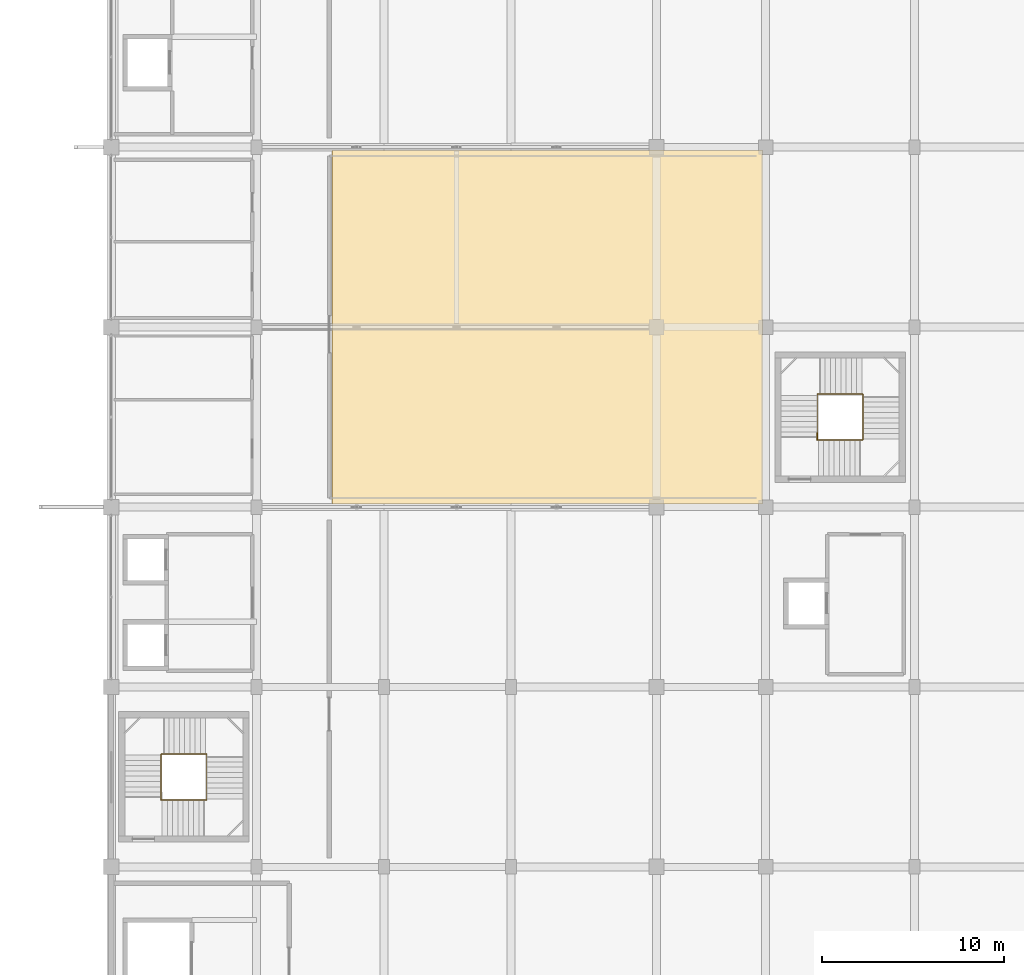
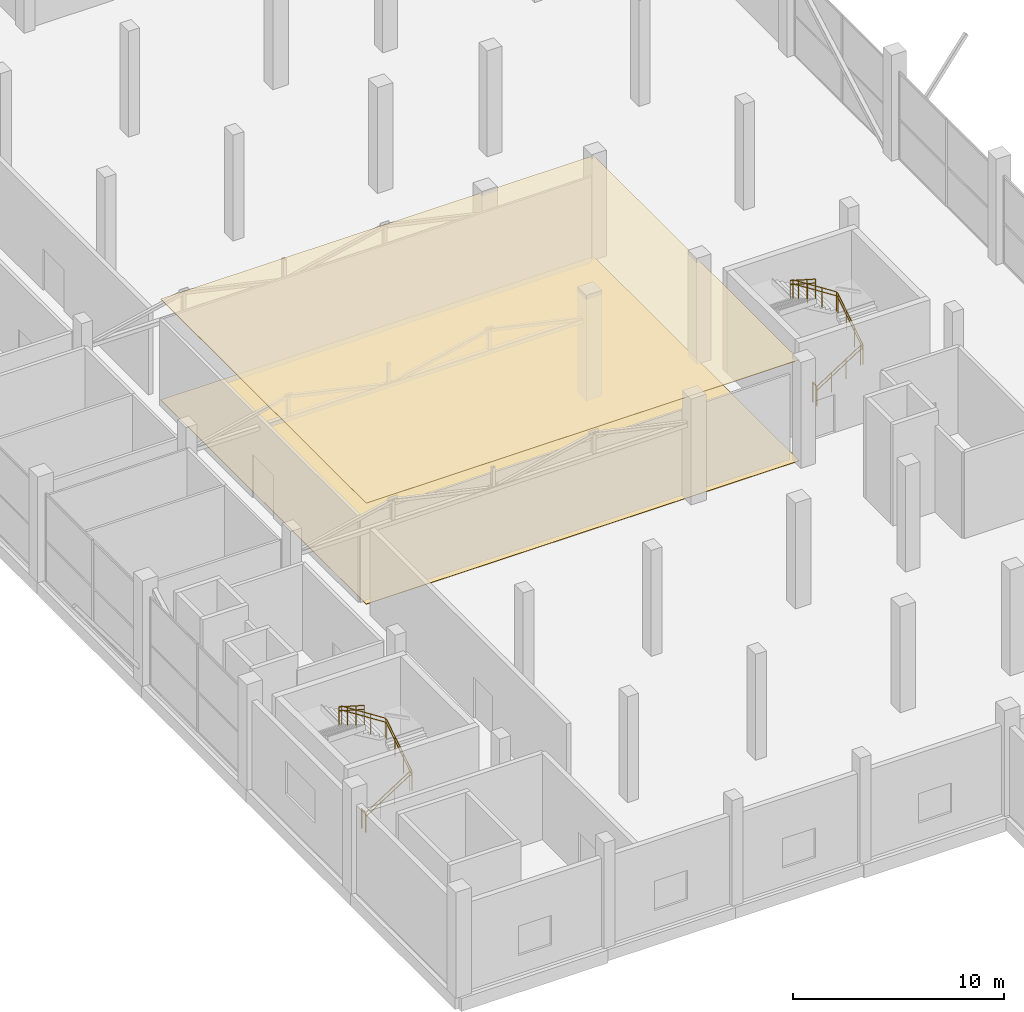
# One storey, part 43 of 46: 6 railings, 2 coverings.
"""IFC4 building model written with IfcOpenShell, lengths in metres."""

from ifc_helpers import new_model, si_unit, direction, frame, origin, origin_2d, place, context, subcontext, project, spatial, polyline, circle, outline, extrude, material, layer, layer_set, type_object, element, save


model = new_model("IFC4")

# Units and contexts
model_context = context("Model", 3, precision=1e-05, world=origin(), true_north=direction((0.0, 1.0)))
body_context = subcontext(model_context, "Body", "Model", "MODEL_VIEW")
ifc_project = project(units=[si_unit("LENGTHUNIT", "METRE"), si_unit("AREAUNIT", "SQUARE_METRE"), si_unit("VOLUMEUNIT", "CUBIC_METRE"), si_unit("PLANEANGLEUNIT", "RADIAN"), si_unit("MASSUNIT", "GRAM", prefix="KILO")], contexts=[model_context])

# Site, building, storey
site_placement = place(None, origin())
site = spatial("IfcSite", under=ifc_project, at=site_placement, CompositionType="ELEMENT")
building_placement = place(site_placement, origin())
building = spatial("IfcBuilding", under=site, at=building_placement, Name="Sillaruma Civic Art Gallery", CompositionType="ELEMENT")
storey_placement = place(building_placement, frame((0.0, 0.0, 16.320068359375)))
storey = spatial("IfcBuildingStorey", under=building, at=storey_placement, Name="L03", CompositionType="ELEMENT", Elevation=16.320068359375)

# Coverings
ifc_material_1 = material(Name="Gypsum Acoustic Board", Category="gypsum")
ifc_layer_1 = layer(ifc_material_1, 0.030029296875, Name="Gypsum Acoustic Board")
ifc_layer_set_1 = layer_set([ifc_layer_1], Name="Gypsum Acoustic Board")
covering_type_1 = type_object("IfcCoveringType", Name="COV-CLG-30", PredefinedType="CEILING", material=ifc_layer_set_1)
covering_1_placement = place(storey_placement, frame((0.0, 0.0, 5.829833984375)))
element("IfcCovering", 1, at=covering_1_placement, inside=storey, type_object=covering_type_1, Name="Acoustic Gallery Ceiling (L03-GAL31)", PredefinedType="CEILING", context=body_context, shape_type="SweptSolid", body=[
    extrude(outline(polyline([(74.159912109375, 49.659912109375), (97.840087890625, 49.659912109375), (97.840087890625, 69.139892578125), (74.159912109375, 69.139892578125), (74.159912109375, 49.659912109375)])), origin(), (0.0, 0.0, 1.0), 0.030029296875),
])
ifc_material_2 = material(Name="Polished Terrazzo", Category="masonry")
ifc_layer_2 = layer(ifc_material_2, 0.02490234375, Name="Polished Terrazzo")
ifc_layer_set_2 = layer_set([ifc_layer_2], Name="Polished Terrazzo")
covering_type_2 = type_object("IfcCoveringType", Name="COV-FLR-25", PredefinedType="FLOORING", material=ifc_layer_set_2)
covering_2_placement = place(storey_placement, origin())
element("IfcCovering", 2, at=covering_2_placement, inside=storey, type_object=covering_type_2, Name="Gallery Stone Terrazzo Flooring (L03-GAL31)", PredefinedType="FLOORING", context=body_context, shape_type="SweptSolid", body=[
    extrude(outline(polyline([(74.159912109375, 49.659912109375), (97.840087890625, 49.659912109375), (97.840087890625, 69.139892578125), (74.159912109375, 69.139892578125), (74.159912109375, 49.659912109375)])), origin(), (0.0, 0.0, 1.0), 0.02490234375),
])

# Railings
ifc_material_3 = material(Name="Stainless Steel AISI 316", Category="steel")
railing_type_1 = type_object("IfcRailingType", Name="RAL-BAL-1150", PredefinedType="BALUSTRADE", material=ifc_material_3)
railing_1_placement = place(storey_placement, frame((64.739990234375, 33.389892578125, 0.0)))
element("IfcRailing", 3, at=railing_1_placement, inside=storey, type_object=railing_type_1, Name="Stair Floor Edge Guard (ST-03:L03)", PredefinedType="BALUSTRADE", context=body_context, shape_type="SweptSolid", body=[
    extrude(circle(Radius=0.02392578125, at=origin_2d()), frame((0.0, 0.0, 1.1259765625), z_axis=(0.0, 1.0, 0.0), x_axis=(-1.0, 0.0, 0.0)), (0.0, 0.0, 1.0), 0.39013671875),
    extrude(circle(Radius=0.02099609375, at=origin_2d()), origin(), (0.0, 0.0, 1.0), 1.101806640625),
    extrude(circle(Radius=0.02099609375, at=origin_2d()), frame((0.0, 0.39013671875, 0.0)), (0.0, 0.0, 1.0), 1.101806640625),
])
railing_2_placement = place(storey_placement, frame((64.739990234375, 33.389892578125, 0.0)))
element("IfcRailing", 4, at=railing_2_placement, inside=storey, type_object=railing_type_1, Name="Stair Well Balustrade (ST-03-L03)", PredefinedType="BALUSTRADE", context=body_context, shape_type="SweptSolid", body=[
    extrude(circle(Radius=0.02392578125, at=origin_2d()), frame((0.0, 0.0, 1.1259765625), z_axis=(0.84118688567, 0.0, 0.540744508411), x_axis=(0.0, 1.0, 0.0)), (0.0, 0.0, 1.0), 2.82958984375),
    extrude(circle(Radius=0.02392578125, at=origin_2d()), frame((2.380126953125, 0.0, 2.65576171875), z_axis=(1.0, 0.0, 0.0), x_axis=(0.0, 1.0, 0.0)), (0.0, 0.0, 1.0), 0.139892578125),
    extrude(circle(Radius=0.02392578125, at=origin_2d()), frame((2.52001953125, 0.0, 2.65576171875), z_axis=(0.0, 0.841226133241, 0.540683449675), x_axis=(-1.0, 0.0, 0.0)), (0.0, 0.0, 1.0), 2.829345703125),
    extrude(circle(Radius=0.02392578125, at=origin_2d()), frame((2.52001953125, 2.380126953125, 4.185546875), z_axis=(0.0, 1.0, 0.0), x_axis=(-1.0, 0.0, 0.0)), (0.0, 0.0, 1.0), 0.139892578125),
    extrude(circle(Radius=0.02392578125, at=origin_2d()), frame((2.52001953125, 2.52001953125, 4.185546875), z_axis=(-0.84118688567, 0.0, 0.540744508411), x_axis=(0.0, -1.0, 0.0)), (0.0, 0.0, 1.0), 2.82958984375),
    extrude(circle(Radius=0.02392578125, at=origin_2d()), frame((0.139892578125, 2.52001953125, 5.7158203125), z_axis=(-1.0, 0.0, 0.0), x_axis=(0.0, -1.0, 0.0)), (0.0, 0.0, 1.0), 0.139892578125),
    extrude(circle(Radius=0.02392578125, at=origin_2d()), frame((0.0, 2.52001953125, 5.7158203125), z_axis=(0.0, -0.841161652958, 0.540783758626), x_axis=(1.0, 0.0, 0.0)), (0.0, 0.0, 1.0), 2.829345703125),
    extrude(circle(Radius=0.02099609375, at=origin_2d()), origin(), (0.0, 0.0, 1.0), 1.101806640625),
    extrude(circle(Radius=0.02099609375, at=origin_2d()), frame((0.79345703125, 0.0, 0.510009765625)), (0.0, 0.0, 1.0), 1.101806640625),
    extrude(circle(Radius=0.02099609375, at=origin_2d()), frame((1.586669921875, 0.0, 1.02001953125)), (0.0, 0.0, 1.0), 1.101806640625),
    extrude(circle(Radius=0.02099609375, at=origin_2d()), frame((2.380126953125, 0.0, 1.530029296875)), (0.0, 0.0, 1.0), 1.101806640625),
    extrude(circle(Radius=0.02099609375, at=origin_2d()), frame((2.52001953125, 0.0, 1.530029296875)), (0.0, 0.0, 1.0), 1.101806640625),
    extrude(circle(Radius=0.02099609375, at=origin_2d()), frame((2.52001953125, 0.79345703125, 2.0400390625)), (0.0, 0.0, 1.0), 1.101806640625),
    extrude(circle(Radius=0.02099609375, at=origin_2d()), frame((2.52001953125, 1.586669921875, 2.5498046875)), (0.0, 0.0, 1.0), 1.101806640625),
    extrude(circle(Radius=0.02099609375, at=origin_2d()), frame((2.52001953125, 2.380126953125, 3.059814453125)), (0.0, 0.0, 1.0), 1.101806640625),
    extrude(circle(Radius=0.02099609375, at=origin_2d()), frame((2.52001953125, 2.52001953125, 3.059814453125)), (0.0, 0.0, 1.0), 1.101806640625),
    extrude(circle(Radius=0.02099609375, at=origin_2d()), frame((1.7265625, 2.52001953125, 3.56982421875)), (0.0, 0.0, 1.0), 1.101806640625),
    extrude(circle(Radius=0.02099609375, at=origin_2d()), frame((0.933349609375, 2.52001953125, 4.079833984375)), (0.0, 0.0, 1.0), 1.101806640625),
    extrude(circle(Radius=0.02099609375, at=origin_2d()), frame((0.139892578125, 2.52001953125, 4.58984375)), (0.0, 0.0, 1.0), 1.101806640625),
    extrude(circle(Radius=0.02099609375, at=origin_2d()), frame((0.0, 2.52001953125, 4.58984375)), (0.0, 0.0, 1.0), 1.101806640625),
    extrude(circle(Radius=0.02099609375, at=origin_2d()), frame((0.0, 1.726806640625, 5.099853515625)), (0.0, 0.0, 1.0), 1.101806640625),
    extrude(circle(Radius=0.02099609375, at=origin_2d()), frame((0.0, 0.933349609375, 5.60986328125)), (0.0, 0.0, 1.0), 1.101806640625),
    extrude(circle(Radius=0.02099609375, at=origin_2d()), frame((0.0, 0.14013671875, 6.119873046875)), (0.0, 0.0, 1.0), 1.101806640625),
])
railing_3_placement = place(storey_placement, frame((100.840087890625, 53.18994140625, 0.0)))
element("IfcRailing", 5, at=railing_3_placement, inside=storey, type_object=railing_type_1, Name="Stair Floor Edge Guard (ST-04:L03)", PredefinedType="BALUSTRADE", context=body_context, shape_type="SweptSolid", body=[
    extrude(circle(Radius=0.02392578125, at=origin_2d()), frame((0.0, 0.0, 1.1259765625), z_axis=(0.0, 1.0, 0.0), x_axis=(-1.0, 0.0, 0.0)), (0.0, 0.0, 1.0), 0.39013671875),
    extrude(circle(Radius=0.02099609375, at=origin_2d()), origin(), (0.0, 0.0, 1.0), 1.101806640625),
    extrude(circle(Radius=0.02099609375, at=origin_2d()), frame((0.0, 0.39013671875, 0.0)), (0.0, 0.0, 1.0), 1.101806640625),
])
railing_4_placement = place(storey_placement, frame((100.840087890625, 53.18994140625, 0.0)))
element("IfcRailing", 6, at=railing_4_placement, inside=storey, type_object=railing_type_1, Name="Stair Well Balustrade (ST-04-L03)", PredefinedType="BALUSTRADE", context=body_context, shape_type="SweptSolid", body=[
    extrude(circle(Radius=0.02392578125, at=origin_2d()), frame((0.0, 0.0, 1.1259765625), z_axis=(0.841161652958, 0.0, 0.540783758626), x_axis=(0.0, 1.0, 0.0)), (0.0, 0.0, 1.0), 2.829345703125),
    extrude(circle(Radius=0.02392578125, at=origin_2d()), frame((2.3798828125, 0.0, 2.65576171875), z_axis=(1.0, 0.0, 0.0), x_axis=(0.0, 1.0, 0.0)), (0.0, 0.0, 1.0), 0.14013671875),
    extrude(circle(Radius=0.02392578125, at=origin_2d()), frame((2.52001953125, 0.0, 2.65576171875), z_axis=(0.0, 0.841226133241, 0.540683449675), x_axis=(-1.0, 0.0, 0.0)), (0.0, 0.0, 1.0), 2.829345703125),
    extrude(circle(Radius=0.02392578125, at=origin_2d()), frame((2.52001953125, 2.380126953125, 4.185546875), z_axis=(0.0, 1.0, 0.0), x_axis=(-1.0, 0.0, 0.0)), (0.0, 0.0, 1.0), 0.139892578125),
    extrude(circle(Radius=0.02392578125, at=origin_2d()), frame((2.52001953125, 2.52001953125, 4.185546875), z_axis=(-0.84118688567, 0.0, 0.540744508411), x_axis=(0.0, -1.0, 0.0)), (0.0, 0.0, 1.0), 2.82958984375),
    extrude(circle(Radius=0.02392578125, at=origin_2d()), frame((0.139892578125, 2.52001953125, 5.7158203125), z_axis=(-1.0, 0.0, 0.0), x_axis=(0.0, -1.0, 0.0)), (0.0, 0.0, 1.0), 0.139892578125),
    extrude(circle(Radius=0.02392578125, at=origin_2d()), frame((0.0, 2.52001953125, 5.7158203125), z_axis=(0.0, -0.841161652958, 0.540783758626), x_axis=(1.0, 0.0, 0.0)), (0.0, 0.0, 1.0), 2.829345703125),
    extrude(circle(Radius=0.02099609375, at=origin_2d()), origin(), (0.0, 0.0, 1.0), 1.101806640625),
    extrude(circle(Radius=0.02099609375, at=origin_2d()), frame((0.793212890625, 0.0, 0.510009765625)), (0.0, 0.0, 1.0), 1.101806640625),
    extrude(circle(Radius=0.02099609375, at=origin_2d()), frame((1.586669921875, 0.0, 1.02001953125)), (0.0, 0.0, 1.0), 1.101806640625),
    extrude(circle(Radius=0.02099609375, at=origin_2d()), frame((2.3798828125, 0.0, 1.530029296875)), (0.0, 0.0, 1.0), 1.101806640625),
    extrude(circle(Radius=0.02099609375, at=origin_2d()), frame((2.52001953125, 0.0, 1.530029296875)), (0.0, 0.0, 1.0), 1.101806640625),
    extrude(circle(Radius=0.02099609375, at=origin_2d()), frame((2.52001953125, 0.79345703125, 2.0400390625)), (0.0, 0.0, 1.0), 1.101806640625),
    extrude(circle(Radius=0.02099609375, at=origin_2d()), frame((2.52001953125, 1.586669921875, 2.5498046875)), (0.0, 0.0, 1.0), 1.101806640625),
    extrude(circle(Radius=0.02099609375, at=origin_2d()), frame((2.52001953125, 2.380126953125, 3.059814453125)), (0.0, 0.0, 1.0), 1.101806640625),
    extrude(circle(Radius=0.02099609375, at=origin_2d()), frame((2.52001953125, 2.52001953125, 3.059814453125)), (0.0, 0.0, 1.0), 1.101806640625),
    extrude(circle(Radius=0.02099609375, at=origin_2d()), frame((1.7265625, 2.52001953125, 3.56982421875)), (0.0, 0.0, 1.0), 1.101806640625),
    extrude(circle(Radius=0.02099609375, at=origin_2d()), frame((0.933349609375, 2.52001953125, 4.079833984375)), (0.0, 0.0, 1.0), 1.101806640625),
    extrude(circle(Radius=0.02099609375, at=origin_2d()), frame((0.139892578125, 2.52001953125, 4.58984375)), (0.0, 0.0, 1.0), 1.101806640625),
    extrude(circle(Radius=0.02099609375, at=origin_2d()), frame((0.0, 2.52001953125, 4.58984375)), (0.0, 0.0, 1.0), 1.101806640625),
    extrude(circle(Radius=0.02099609375, at=origin_2d()), frame((0.0, 1.726806640625, 5.099853515625)), (0.0, 0.0, 1.0), 1.101806640625),
    extrude(circle(Radius=0.02099609375, at=origin_2d()), frame((0.0, 0.933349609375, 5.60986328125)), (0.0, 0.0, 1.0), 1.101806640625),
    extrude(circle(Radius=0.02099609375, at=origin_2d()), frame((0.0, 0.14013671875, 6.119873046875)), (0.0, 0.0, 1.0), 1.101806640625),
])
railing_type_2 = type_object("IfcRailingType", Name="RAL-HND-920", PredefinedType="HANDRAIL", material=ifc_material_3)
railing_5_placement = place(storey_placement, frame((64.739990234375, 33.389892578125, 0.0)))
element("IfcRailing", 7, at=railing_5_placement, inside=storey, type_object=railing_type_2, Name="Stair Continuous Handrail (ST-03-L03)", PredefinedType="HANDRAIL", context=body_context, shape_type="SweptSolid", body=[
    extrude(circle(Radius=0.02392578125, at=origin_2d()), frame((0.0, 0.0, 0.89599609375), z_axis=(0.84118688567, 0.0, 0.540744508411), x_axis=(0.0, 1.0, 0.0)), (0.0, 0.0, 1.0), 2.82958984375),
    extrude(circle(Radius=0.02392578125, at=origin_2d()), frame((2.380126953125, 0.0, 2.42578125), z_axis=(1.0, 0.0, 0.0), x_axis=(0.0, 1.0, 0.0)), (0.0, 0.0, 1.0), 0.139892578125),
    extrude(circle(Radius=0.02392578125, at=origin_2d()), frame((2.52001953125, 0.0, 2.42578125), z_axis=(0.0, 0.841226133241, 0.540683449675), x_axis=(-1.0, 0.0, 0.0)), (0.0, 0.0, 1.0), 2.829345703125),
    extrude(circle(Radius=0.02392578125, at=origin_2d()), frame((2.52001953125, 2.380126953125, 3.95556640625), z_axis=(0.0, 1.0, 0.0), x_axis=(-1.0, 0.0, 0.0)), (0.0, 0.0, 1.0), 0.139892578125),
    extrude(circle(Radius=0.02392578125, at=origin_2d()), frame((2.52001953125, 2.52001953125, 3.95556640625), z_axis=(-0.84118688567, 0.0, 0.540744508411), x_axis=(0.0, -1.0, 0.0)), (0.0, 0.0, 1.0), 2.82958984375),
    extrude(circle(Radius=0.02392578125, at=origin_2d()), frame((0.139892578125, 2.52001953125, 5.48583984375), z_axis=(-1.0, 0.0, 0.0), x_axis=(0.0, -1.0, 0.0)), (0.0, 0.0, 1.0), 0.139892578125),
    extrude(circle(Radius=0.02392578125, at=origin_2d()), frame((0.0, 2.52001953125, 5.48583984375), z_axis=(0.0, -0.841161652958, 0.540783758626), x_axis=(1.0, 0.0, 0.0)), (0.0, 0.0, 1.0), 2.829345703125),
    extrude(circle(Radius=0.02099609375, at=origin_2d()), origin(), (0.0, 0.0, 1.0), 0.871826171875),
    extrude(circle(Radius=0.02099609375, at=origin_2d()), frame((0.79345703125, 0.0, 0.510009765625)), (0.0, 0.0, 1.0), 0.871826171875),
    extrude(circle(Radius=0.02099609375, at=origin_2d()), frame((1.586669921875, 0.0, 1.02001953125)), (0.0, 0.0, 1.0), 0.871826171875),
    extrude(circle(Radius=0.02099609375, at=origin_2d()), frame((2.380126953125, 0.0, 1.530029296875)), (0.0, 0.0, 1.0), 0.871826171875),
    extrude(circle(Radius=0.02099609375, at=origin_2d()), frame((2.52001953125, 0.0, 1.530029296875)), (0.0, 0.0, 1.0), 0.871826171875),
    extrude(circle(Radius=0.02099609375, at=origin_2d()), frame((2.52001953125, 0.79345703125, 2.0400390625)), (0.0, 0.0, 1.0), 0.871826171875),
    extrude(circle(Radius=0.02099609375, at=origin_2d()), frame((2.52001953125, 1.586669921875, 2.5498046875)), (0.0, 0.0, 1.0), 0.871826171875),
    extrude(circle(Radius=0.02099609375, at=origin_2d()), frame((2.52001953125, 2.380126953125, 3.059814453125)), (0.0, 0.0, 1.0), 0.871826171875),
    extrude(circle(Radius=0.02099609375, at=origin_2d()), frame((2.52001953125, 2.52001953125, 3.059814453125)), (0.0, 0.0, 1.0), 0.871826171875),
    extrude(circle(Radius=0.02099609375, at=origin_2d()), frame((1.7265625, 2.52001953125, 3.56982421875)), (0.0, 0.0, 1.0), 0.871826171875),
    extrude(circle(Radius=0.02099609375, at=origin_2d()), frame((0.933349609375, 2.52001953125, 4.079833984375)), (0.0, 0.0, 1.0), 0.871826171875),
    extrude(circle(Radius=0.02099609375, at=origin_2d()), frame((0.139892578125, 2.52001953125, 4.58984375)), (0.0, 0.0, 1.0), 0.871826171875),
    extrude(circle(Radius=0.02099609375, at=origin_2d()), frame((0.0, 2.52001953125, 4.58984375)), (0.0, 0.0, 1.0), 0.871826171875),
    extrude(circle(Radius=0.02099609375, at=origin_2d()), frame((0.0, 1.726806640625, 5.099853515625)), (0.0, 0.0, 1.0), 0.871826171875),
    extrude(circle(Radius=0.02099609375, at=origin_2d()), frame((0.0, 0.933349609375, 5.60986328125)), (0.0, 0.0, 1.0), 0.871826171875),
    extrude(circle(Radius=0.02099609375, at=origin_2d()), frame((0.0, 0.14013671875, 6.119873046875)), (0.0, 0.0, 1.0), 0.871826171875),
])
railing_6_placement = place(storey_placement, frame((100.840087890625, 53.18994140625, 0.0)))
element("IfcRailing", 8, at=railing_6_placement, inside=storey, type_object=railing_type_2, Name="Stair Continuous Handrail (ST-04-L03)", PredefinedType="HANDRAIL", context=body_context, shape_type="SweptSolid", body=[
    extrude(circle(Radius=0.02392578125, at=origin_2d()), frame((0.0, 0.0, 0.89599609375), z_axis=(0.841161652958, 0.0, 0.540783758626), x_axis=(0.0, 1.0, 0.0)), (0.0, 0.0, 1.0), 2.829345703125),
    extrude(circle(Radius=0.02392578125, at=origin_2d()), frame((2.3798828125, 0.0, 2.42578125), z_axis=(1.0, 0.0, 0.0), x_axis=(0.0, 1.0, 0.0)), (0.0, 0.0, 1.0), 0.14013671875),
    extrude(circle(Radius=0.02392578125, at=origin_2d()), frame((2.52001953125, 0.0, 2.42578125), z_axis=(0.0, 0.841226133241, 0.540683449675), x_axis=(-1.0, 0.0, 0.0)), (0.0, 0.0, 1.0), 2.829345703125),
    extrude(circle(Radius=0.02392578125, at=origin_2d()), frame((2.52001953125, 2.380126953125, 3.95556640625), z_axis=(0.0, 1.0, 0.0), x_axis=(-1.0, 0.0, 0.0)), (0.0, 0.0, 1.0), 0.139892578125),
    extrude(circle(Radius=0.02392578125, at=origin_2d()), frame((2.52001953125, 2.52001953125, 3.95556640625), z_axis=(-0.84118688567, 0.0, 0.540744508411), x_axis=(0.0, -1.0, 0.0)), (0.0, 0.0, 1.0), 2.82958984375),
    extrude(circle(Radius=0.02392578125, at=origin_2d()), frame((0.139892578125, 2.52001953125, 5.48583984375), z_axis=(-1.0, 0.0, 0.0), x_axis=(0.0, -1.0, 0.0)), (0.0, 0.0, 1.0), 0.139892578125),
    extrude(circle(Radius=0.02392578125, at=origin_2d()), frame((0.0, 2.52001953125, 5.48583984375), z_axis=(0.0, -0.841161652958, 0.540783758626), x_axis=(1.0, 0.0, 0.0)), (0.0, 0.0, 1.0), 2.829345703125),
    extrude(circle(Radius=0.02099609375, at=origin_2d()), origin(), (0.0, 0.0, 1.0), 0.871826171875),
    extrude(circle(Radius=0.02099609375, at=origin_2d()), frame((0.793212890625, 0.0, 0.510009765625)), (0.0, 0.0, 1.0), 0.871826171875),
    extrude(circle(Radius=0.02099609375, at=origin_2d()), frame((1.586669921875, 0.0, 1.02001953125)), (0.0, 0.0, 1.0), 0.871826171875),
    extrude(circle(Radius=0.02099609375, at=origin_2d()), frame((2.3798828125, 0.0, 1.530029296875)), (0.0, 0.0, 1.0), 0.871826171875),
    extrude(circle(Radius=0.02099609375, at=origin_2d()), frame((2.52001953125, 0.0, 1.530029296875)), (0.0, 0.0, 1.0), 0.871826171875),
    extrude(circle(Radius=0.02099609375, at=origin_2d()), frame((2.52001953125, 0.79345703125, 2.0400390625)), (0.0, 0.0, 1.0), 0.871826171875),
    extrude(circle(Radius=0.02099609375, at=origin_2d()), frame((2.52001953125, 1.586669921875, 2.5498046875)), (0.0, 0.0, 1.0), 0.871826171875),
    extrude(circle(Radius=0.02099609375, at=origin_2d()), frame((2.52001953125, 2.380126953125, 3.059814453125)), (0.0, 0.0, 1.0), 0.871826171875),
    extrude(circle(Radius=0.02099609375, at=origin_2d()), frame((2.52001953125, 2.52001953125, 3.059814453125)), (0.0, 0.0, 1.0), 0.871826171875),
    extrude(circle(Radius=0.02099609375, at=origin_2d()), frame((1.7265625, 2.52001953125, 3.56982421875)), (0.0, 0.0, 1.0), 0.871826171875),
    extrude(circle(Radius=0.02099609375, at=origin_2d()), frame((0.933349609375, 2.52001953125, 4.079833984375)), (0.0, 0.0, 1.0), 0.871826171875),
    extrude(circle(Radius=0.02099609375, at=origin_2d()), frame((0.139892578125, 2.52001953125, 4.58984375)), (0.0, 0.0, 1.0), 0.871826171875),
    extrude(circle(Radius=0.02099609375, at=origin_2d()), frame((0.0, 2.52001953125, 4.58984375)), (0.0, 0.0, 1.0), 0.871826171875),
    extrude(circle(Radius=0.02099609375, at=origin_2d()), frame((0.0, 1.726806640625, 5.099853515625)), (0.0, 0.0, 1.0), 0.871826171875),
    extrude(circle(Radius=0.02099609375, at=origin_2d()), frame((0.0, 0.933349609375, 5.60986328125)), (0.0, 0.0, 1.0), 0.871826171875),
    extrude(circle(Radius=0.02099609375, at=origin_2d()), frame((0.0, 0.14013671875, 6.119873046875)), (0.0, 0.0, 1.0), 0.871826171875),
])

save(model, "model.ifc")
